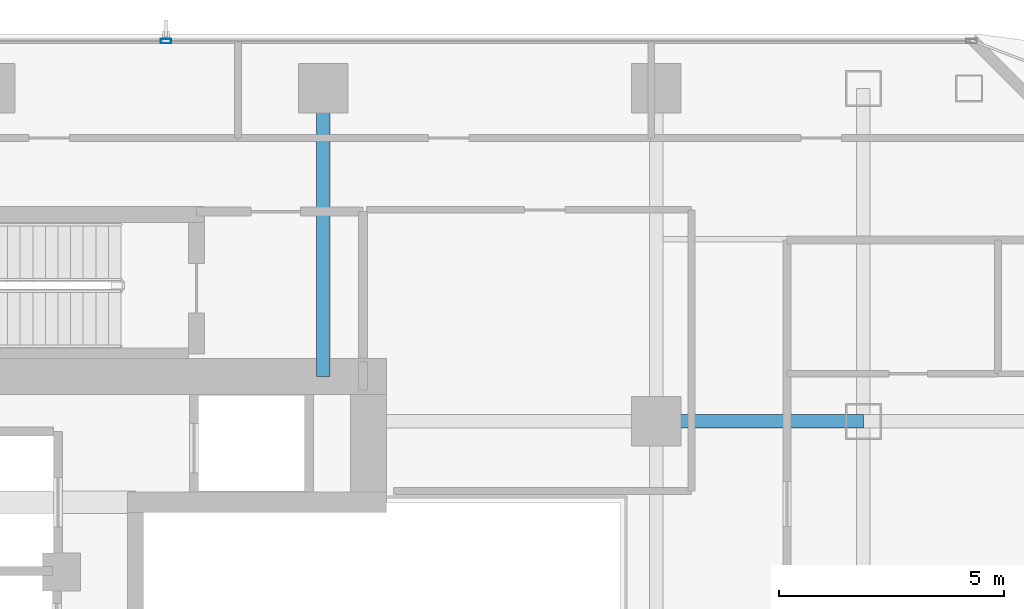
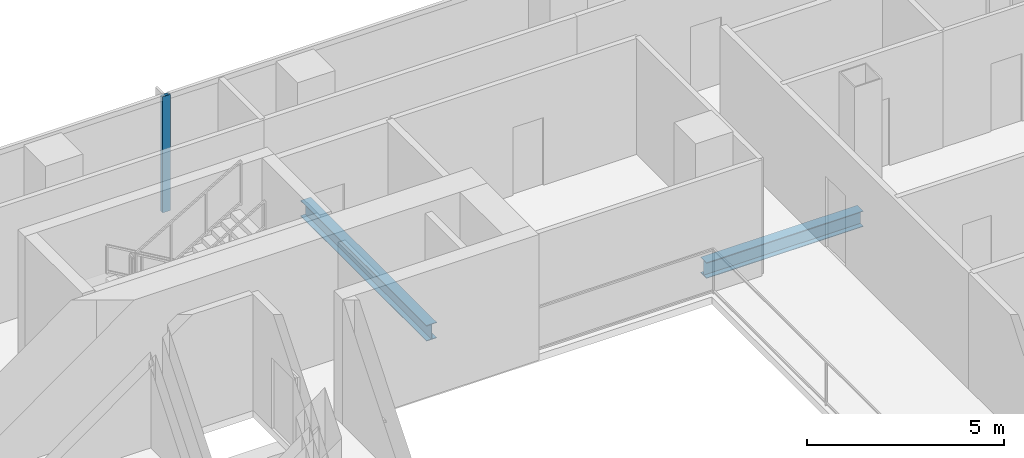
# One storey, part 15 of 27: 2 beams, 1 member, 1 element without a shape of its own.
"""IFC4 building model written with IfcOpenShell, lengths in metres."""

from ifc_helpers import new_model, si_unit, direction, frame, origin, origin_2d, place, context, subcontext, project, spatial, hollow_rectangle, i_section, extrude, material, layer, layer_set, material_profile, profile_set, type_object, element, aggregate, save


model = new_model("IFC4")

# Units and contexts
model_context = context("Model", 3, precision=1e-05, world=origin(), true_north=direction((0.0, 1.0)))
body_context = subcontext(model_context, "Body", "Model", "MODEL_VIEW")
ifc_project = project(units=[si_unit("LENGTHUNIT", "METRE"), si_unit("AREAUNIT", "SQUARE_METRE"), si_unit("VOLUMEUNIT", "CUBIC_METRE"), si_unit("PLANEANGLEUNIT", "RADIAN"), si_unit("MASSUNIT", "GRAM", prefix="KILO")], contexts=[model_context])

# Site, building, storey
site_placement = place(None, origin())
site = spatial("IfcSite", under=ifc_project, at=site_placement, CompositionType="ELEMENT")
building_placement = place(site_placement, origin())
building = spatial("IfcBuilding", under=site, at=building_placement, Name="Khorvyn Point Tower", CompositionType="ELEMENT")
storey_placement = place(building_placement, frame((0.0, 0.0, 231.300048828125)))
storey = spatial("IfcBuildingStorey", under=building, at=storey_placement, Name="L57", CompositionType="ELEMENT", Elevation=231.300048828125)

# Curtain wall, member
ifc_material_1 = material(Name="Anodised aluminium 6063-T6 and laminated Low-E glass", Category="aluminium")
ifc_layer = layer(ifc_material_1, 0.18994140625)
ifc_layer_set = layer_set([ifc_layer], Name="Stick-Built Acoustic Curtain Wall CW-SYS-03")
curtain_wall_type = type_object("IfcCurtainWallType", Name="Stick-Built Acoustic Curtain Wall CW-SYS-03", PredefinedType="NOTDEFINED", material=ifc_layer_set)
curtain_wall_placement = place(storey_placement, origin())
curtain_wall = element("IfcCurtainWall", 1, at=curtain_wall_placement, inside=storey, type_object=curtain_wall_type, Name="Curtain Wall", PredefinedType="NOTDEFINED")
ifc_material_2 = material(Name="Anodised aluminium 6063-T6", Category="aluminium")
ifc_material_profile_1 = material_profile(ifc_material_2, hollow_rectangle(XDim=0.10009765625, YDim=0.239990234375, WallThickness=0.0048828125, at=origin_2d()))
ifc_profile_set_1 = profile_set([ifc_material_profile_1], Name="Anodised aluminium 6063-T6 ALU-MUL-100x240")
member_type = type_object("IfcMemberType", Name="Anodised Aluminium 6063-T6 Mullion ALU-MUL-100x240", PredefinedType="MULLION", material=ifc_profile_set_1)
member_placement = place(storey_placement, frame((3.89990234375, 15.85009765625, 0.0), z_axis=(0.0, 0.0, 1.0), x_axis=(0.0, 1.0, 0.0)))
member = element("IfcMember", 2, at=member_placement, type_object=member_type, Name="Transom", PredefinedType="MULLION", context=body_context, shape_type="SweptSolid", body=[
    extrude(hollow_rectangle(XDim=0.10009765625, YDim=0.239990234375, WallThickness=0.0048828125, at=origin_2d()), origin(), (0.0, 0.0, 1.0), 3.599853515625),
])
aggregate(curtain_wall, [member])

# Beams
ifc_material_3 = material(Name="Steel S355", Category="steel")
ifc_material_profile_2 = material_profile(ifc_material_3, i_section(OverallWidth=0.300048828125, OverallDepth=0.488037109375, WebThickness=0.010986328125, FlangeThickness=0.01806640625, at=origin_2d()))
ifc_profile_set_2 = profile_set([ifc_material_profile_2], Name="Steel S355 H488x300x11x18")
beam_type = type_object("IfcBeamType", Name="Steel S355 Spandrel H488x300x11x18", PredefinedType="SPANDREL", material=ifc_profile_set_2)
beam_1_placement = place(storey_placement, frame((14.800048828125, 7.39990234375, -0.464111328125), z_axis=(1.0, 0.0, 0.0), x_axis=(0.0, 1.0, 0.0)))
element("IfcBeam", 3, at=beam_1_placement, inside=storey, type_object=beam_type, Name="Beam", PredefinedType="SPANDREL", context=body_context, shape_type="SweptSolid", body=[
    extrude(i_section(OverallWidth=0.300048828125, OverallDepth=0.488037109375, WebThickness=0.010986328125, FlangeThickness=0.01806640625, at=origin_2d()), origin(), (0.0, 0.0, 1.0), 4.599853515625),
])
beam_2_placement = place(storey_placement, frame((7.39990234375, 8.39990234375, -0.464111328125), z_axis=(0.0, 1.0, 0.0), x_axis=(-1.0, 0.0, 0.0)))
element("IfcBeam", 4, at=beam_2_placement, inside=storey, type_object=beam_type, Name="Beam", PredefinedType="SPANDREL", context=body_context, shape_type="SweptSolid", body=[
    extrude(i_section(OverallWidth=0.300048828125, OverallDepth=0.488037109375, WebThickness=0.010986328125, FlangeThickness=0.01806640625, at=origin_2d()), origin(), (0.0, 0.0, 1.0), 6.400146484375),
])

save(model, "model.ifc")
